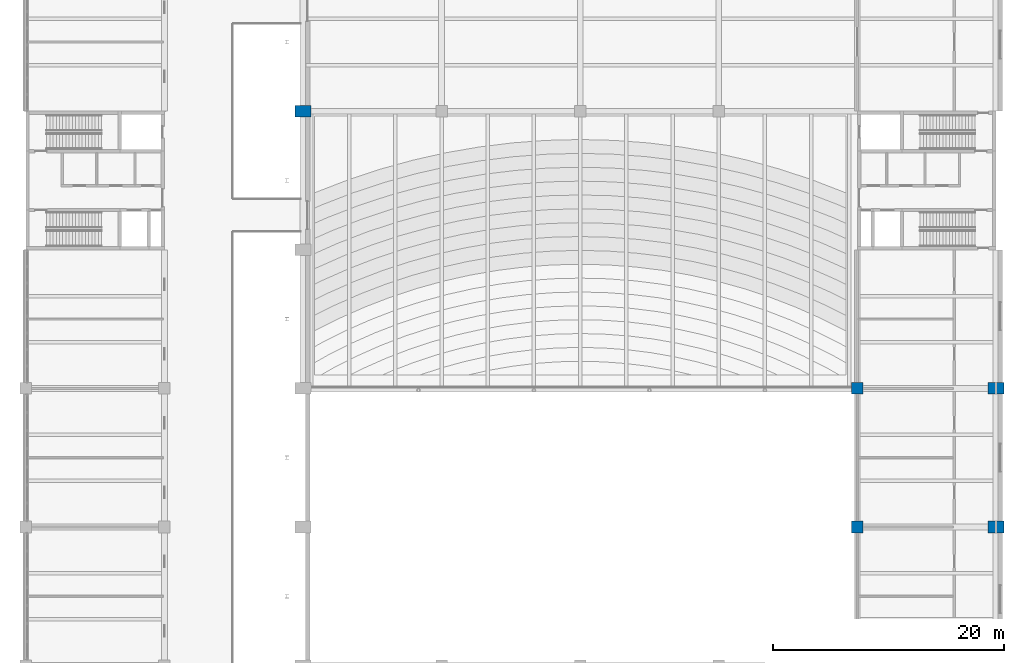
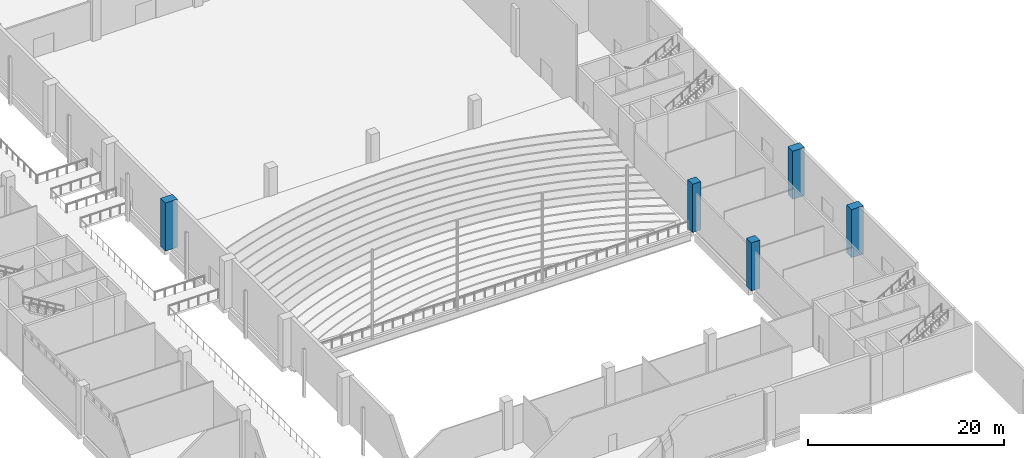
# One storey, part 7 of 72: 5 columns.
"""IFC4 building model written with IfcOpenShell, lengths in metres."""

from ifc_helpers import new_model, si_unit, direction, frame, origin, origin_2d, place, context, subcontext, project, spatial, rectangle, extrude, material, material_profile, profile_set, type_object, element, save


model = new_model("IFC4")

# Units and contexts
model_context = context("Model", 3, precision=1e-05, world=origin(), true_north=direction((0.0, 1.0)))
body_context = subcontext(model_context, "Body", "Model", "MODEL_VIEW")
ifc_project = project(units=[si_unit("LENGTHUNIT", "METRE"), si_unit("AREAUNIT", "SQUARE_METRE"), si_unit("VOLUMEUNIT", "CUBIC_METRE"), si_unit("PLANEANGLEUNIT", "RADIAN"), si_unit("MASSUNIT", "GRAM", prefix="KILO")], contexts=[model_context])

# Site, building, storey
site_placement = place(None, origin())
site = spatial("IfcSite", under=ifc_project, at=site_placement, CompositionType="ELEMENT")
building_placement = place(site_placement, origin())
building = spatial("IfcBuilding", under=site, at=building_placement, Name="Lilac Gate Convention Centre", CompositionType="ELEMENT")
storey_placement = place(building_placement, frame((0.0, 0.0, 6.0)))
storey = spatial("IfcBuildingStorey", under=building, at=storey_placement, Name="L01", CompositionType="ELEMENT", Elevation=6.0)

# Columns
ifc_material = material(Name="Concrete C40", Category="concrete")
ifc_material_profile_1 = material_profile(ifc_material, rectangle(XDim=1.0, YDim=1.0, at=origin_2d()), Name="RC 1000x1000")
ifc_profile_set_1 = profile_set([ifc_material_profile_1], Name="Concrete C40")
column_type_1 = type_object("IfcColumnType", Name="RC column 1000x1000 C40", PredefinedType="COLUMN", material=ifc_profile_set_1)
for number, where, z_axis, x_axis, name in (
    (1, (78.0, 126.0, 0.0), (0.0, 0.0, 1.0), (1.0, 0.0, 0.0), "C1 L01 at 7/J"),
    (2, (78.0, 138.0, 0.0), (0.0, 0.0, 1.0), (1.0, 0.0, 0.0), "C1 L01 at 7/K"),
):
    element("IfcColumn", number, at=place(storey_placement, frame(where, z_axis=z_axis, x_axis=x_axis)), inside=storey, type_object=column_type_1, Name=name, PredefinedType="COLUMN", context=body_context, shape_type="SweptSolid", body=[
        extrude(rectangle(XDim=1.0, YDim=1.0, at=origin_2d()), origin(), (0.0, 0.0, 1.0), 6.0),
    ])
ifc_material_profile_2 = material_profile(ifc_material, rectangle(XDim=1.39990234375, YDim=1.0, at=origin_2d()), Name="RC 1400x1000")
ifc_profile_set_2 = profile_set([ifc_material_profile_2], Name="Concrete C40")
column_type_2 = type_object("IfcColumnType", Name="RC hall column 1400x1000 C40", PredefinedType="COLUMN", material=ifc_profile_set_2)
for number, where, z_axis, x_axis, name in (
    (3, (30.0, 162.0, 0.0), (0.0, 0.0, 1.0), (1.0, 0.0, 0.0), "C2 L01 at 3/M"),
    (4, (90.0, 126.0, 0.0), (0.0, 0.0, 1.0), (1.0, 0.0, 0.0), "C2 L01 at 8/J"),
    (5, (90.0, 138.0, 0.0), (0.0, 0.0, 1.0), (1.0, 0.0, 0.0), "C2 L01 at 8/K"),
):
    element("IfcColumn", number, at=place(storey_placement, frame(where, z_axis=z_axis, x_axis=x_axis)), inside=storey, type_object=column_type_2, Name=name, PredefinedType="COLUMN", context=body_context, shape_type="SweptSolid", body=[
        extrude(rectangle(XDim=1.39990234375, YDim=1.0, at=origin_2d()), origin(), (0.0, 0.0, 1.0), 6.0),
    ])

save(model, "model.ifc")
